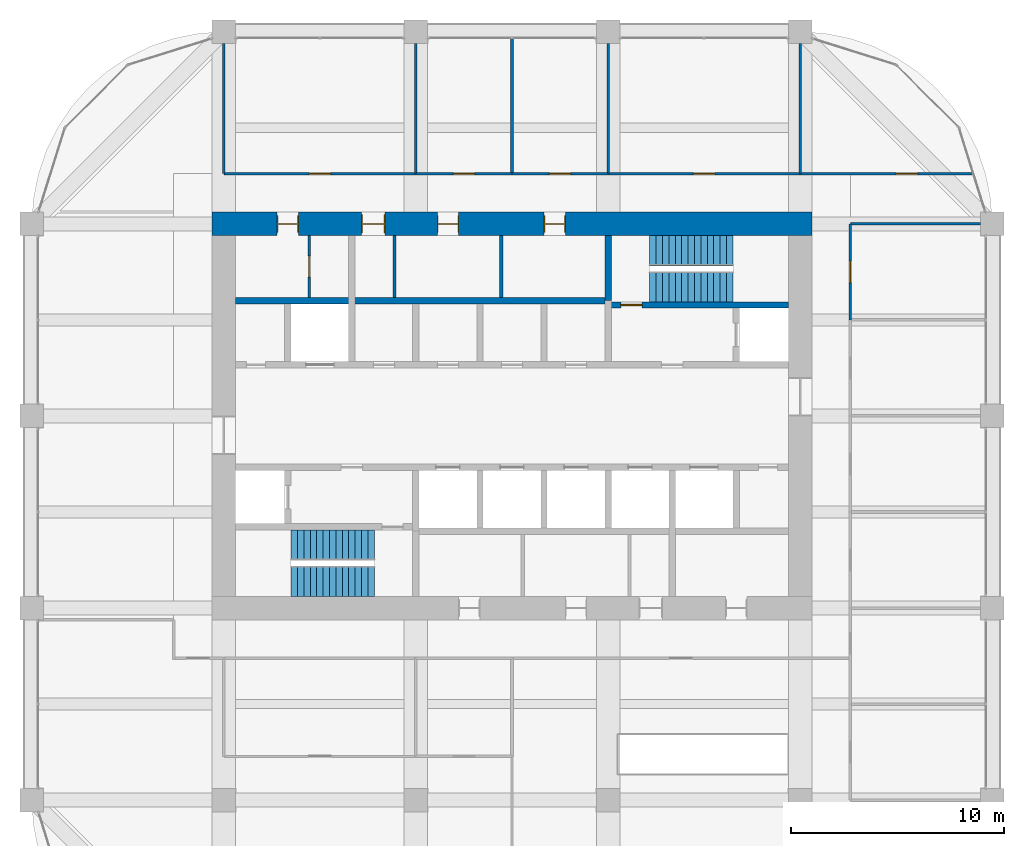
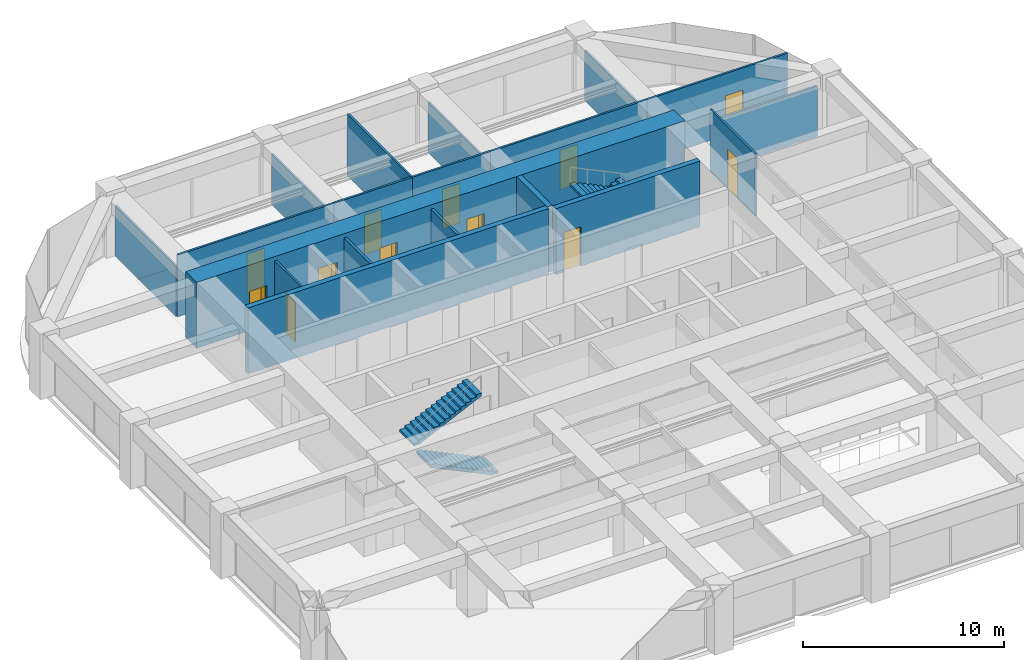
# One storey, part 43 of 44: 19 walls, 12 doors, 4 stair flights, 12 openings, 2 elements without a shape of their own.
"""IFC4 building model written with IfcOpenShell, lengths in metres."""

import ifcopenshell
import ifcopenshell.guid

model = None  # the IFC model being written
_history = None  # IfcOwnerHistory: only IFC2X3 demands one
_inside = {}  # id of a spatial element -> (the spatial element, [elements in it])
_under = {}  # id of a project, library or spatial element -> (it, [spatial elements below it])
_declared = {}  # id of a project -> (the project, [libraries it declares])
_typed = {}  # id of a type object -> (the type object, [elements of that type])
_made_of = {}  # id of a material, layer set ... -> (it, [elements and type objects made of it])


def new_model(schema):
    """Start an empty IFC model of exactly this schema.

    Asked for "IFC4X3", IfcOpenShell would pick the latest addendum, in which some entities
    have other attributes; the version numbers below select the first issue.
    IFC2X3 requires an IfcOwnerHistory on every rooted entity: one is made here for all.
    """
    global model, _history
    if schema == "IFC4X3":
        model = ifcopenshell.file(schema_version=(4, 3, 0, 0))
    else:
        model = ifcopenshell.file(schema=schema)
    _inside.clear()
    _under.clear()
    _declared.clear()
    _typed.clear()
    _made_of.clear()
    _history = None
    if model.schema == "IFC2X3":
        org = make("IfcOrganization", Name="unknown")
        user = make(
            "IfcPersonAndOrganization",
            ThePerson=make("IfcPerson", FamilyName="unknown"),
            TheOrganization=org,
        )
        app = make(
            "IfcApplication",
            ApplicationDeveloper=org,
            Version="unknown",
            ApplicationFullName="unknown",
            ApplicationIdentifier="unknown",
        )
        _history = make(
            "IfcOwnerHistory",
            OwningUser=user,
            OwningApplication=app,
            ChangeAction="ADDED",
            CreationDate=0,
        )
    return model


def make(cls, **values):
    """One entity of the class cls with the attributes given. An attribute that is None is left unset."""
    return model.create_entity(
        cls, **{name: value for name, value in values.items() if value is not None}
    )


def rooted(cls, **values):
    """An entity with a GlobalId (a new one), such as an element, a storey or a relation."""
    return make(cls, GlobalId=ifcopenshell.guid.new(), OwnerHistory=_history, **values)


def si_unit(unit_type, name, prefix=None):
    """IfcSIUnit, for example si_unit("LENGTHUNIT", "METRE", prefix="MILLI")."""
    return make("IfcSIUnit", UnitType=unit_type, Prefix=prefix, Name=name)


def assignment(units):
    """IfcUnitAssignment: the units of a project."""
    return None if units is None else make("IfcUnitAssignment", Units=units)


def point(xyz):
    """IfcCartesianPoint."""
    return None if xyz is None else make("IfcCartesianPoint", Coordinates=xyz)


def direction(xyz):
    """IfcDirection."""
    return None if xyz is None else make("IfcDirection", DirectionRatios=xyz)


def frame(location, z_axis=None, x_axis=None):
    """IfcAxis2Placement3D, a coordinate frame: its origin and axes. An axis left out is left unset."""
    return make(
        "IfcAxis2Placement3D",
        Location=point(location),
        Axis=direction(z_axis),
        RefDirection=direction(x_axis),
    )


def frame_2d(location, x_axis=None):
    """IfcAxis2Placement2D, a coordinate frame in the plane: its origin and x axis."""
    return make(
        "IfcAxis2Placement2D", Location=point(location), RefDirection=direction(x_axis)
    )


def origin():
    """The frame at (0, 0, 0) with its axes left unset."""
    return frame((0.0, 0.0, 0.0))


def place(relative_to, where):
    """IfcLocalPlacement: puts the frame where relative to a parent placement (None: the world)."""
    return make(
        "IfcLocalPlacement", PlacementRelTo=relative_to, RelativePlacement=where
    )


def context(
    kind, dimensions, precision=None, world=None, true_north=None, identifier=None
):
    """IfcGeometricRepresentationContext, for example the 3D "Model" context."""
    return make(
        "IfcGeometricRepresentationContext",
        ContextIdentifier=identifier,
        ContextType=kind,
        CoordinateSpaceDimension=dimensions,
        Precision=precision,
        WorldCoordinateSystem=world,
        TrueNorth=true_north,
    )


def subcontext(parent, identifier, kind, view, scale=None):
    """IfcGeometricRepresentationSubContext, for example "Body" below "Model"."""
    return make(
        "IfcGeometricRepresentationSubContext",
        ContextIdentifier=identifier,
        ContextType=kind,
        ParentContext=parent,
        TargetScale=scale,
        TargetView=view,
    )


def project(units=None, contexts=None):
    """IfcProject with its units and contexts."""
    return rooted(
        "IfcProject",
        Name="project",
        RepresentationContexts=contexts,
        UnitsInContext=assignment(units),
    )


def spatial(cls, under=None, at=None, **own):
    """A site, building, storey or space (cls), placed at a placement, below another one or the project."""
    s = rooted(cls, ObjectPlacement=at, **own)
    if under is not None:
        _under.setdefault(under.id(), (under, []))[1].append(s)
    return s


def polyline(points):
    """IfcPolyline through the points."""
    return make("IfcPolyline", Points=[point(p) for p in points])


def profile(cls, at=None, kind="AREA", **sizes):
    """A parametric profile (cls). Its sizes go by their IFC names, for example OverallWidth=200.0."""
    return make(cls, ProfileType=kind, Position=at, **sizes)


def rectangle(**sizes):
    """IfcRectangleProfileDef."""
    return profile("IfcRectangleProfileDef", **sizes)


def outline(outer, holes=None, kind="AREA"):
    """IfcArbitraryClosedProfileDef: a profile drawn as a closed curve; with holes, ...WithVoids."""
    if holes is None:
        return make("IfcArbitraryClosedProfileDef", ProfileType=kind, OuterCurve=outer)
    return make(
        "IfcArbitraryProfileDefWithVoids",
        ProfileType=kind,
        OuterCurve=outer,
        InnerCurves=holes,
    )


def extrude(swept, where, along, depth):
    """IfcExtrudedAreaSolid: the profile swept, set in the frame where, extruded along a direction by depth."""
    return make(
        "IfcExtrudedAreaSolid",
        SweptArea=swept,
        Position=where,
        ExtrudedDirection=direction(along),
        Depth=depth,
    )


def shape(context_of_items, identifier, shape_type, items):
    """IfcShapeRepresentation: the items that make up one representation, for example the "Body"."""
    return make(
        "IfcShapeRepresentation",
        ContextOfItems=context_of_items,
        RepresentationIdentifier=identifier,
        RepresentationType=shape_type,
        Items=items,
    )


def material(Name=None, Category=None):
    """IfcMaterial."""
    return make("IfcMaterial", Name=Name, Category=Category)


def layer(
    of_material, thickness, ventilated=None, Name=None, Category=None, Priority=None
):
    """IfcMaterialLayer: one layer of a wall or slab, of a material (None: an air gap)."""
    return make(
        "IfcMaterialLayer",
        Material=of_material,
        LayerThickness=thickness,
        IsVentilated=ventilated,
        Name=Name,
        Category=Category,
        Priority=Priority,
    )


def layer_set(layers, Name=None):
    """IfcMaterialLayerSet."""
    return make("IfcMaterialLayerSet", MaterialLayers=layers, LayerSetName=Name)


def made_of(thing, what):
    """Note that an element or type object is made of a material, layer set ...; save() writes the relation."""
    if what is not None:
        _made_of.setdefault(what.id(), (what, []))[1].append(thing)
    return thing


def type_object(cls, material=None, **own):
    """A type object (cls), such as IfcWallType, which elements share."""
    return made_of(rooted(cls, **own), material)


def element(
    cls,
    number,
    at=None,
    inside=None,
    cuts=None,
    type_object=None,
    material=None,
    context=None,
    identifier="Body",
    shape_type=None,
    held_by="IfcProductDefinitionShape",
    body=None,
    shapes=None,
    **own,
):
    """One element of the class cls, such as IfcWall. Its Tag is "e" and its number.

    at: its placement. inside: the storey or other place that contains it. cuts: it is an
    opening in that element (IfcRelVoidsElement). A single representation is given by context,
    identifier, shape_type and body (its items); several are given by shapes. held_by: the class
    of the entity that holds the representations. save() writes the other relations.
    """
    e = rooted(cls, Tag="e%d" % number, ObjectPlacement=at, **own)
    if body is not None:
        shapes = [shape(context, identifier, shape_type, body)]
    if shapes is not None:
        e.Representation = make(held_by, Representations=shapes)
    if inside is not None:
        _inside.setdefault(inside.id(), (inside, []))[1].append(e)
    if cuts is not None:
        rooted(
            "IfcRelVoidsElement", RelatingBuildingElement=cuts, RelatedOpeningElement=e
        )
    if type_object is not None:
        _typed.setdefault(type_object.id(), (type_object, []))[1].append(e)
    return made_of(e, material)


def fill(opening, filler):
    """IfcRelFillsElement: the door or window that sits in an opening."""
    return rooted(
        "IfcRelFillsElement",
        RelatingOpeningElement=opening,
        RelatedBuildingElement=filler,
    )


def aggregate(whole, parts):
    """IfcRelAggregates: a whole, such as a stair, and the parts it consists of."""
    return rooted("IfcRelAggregates", RelatingObject=whole, RelatedObjects=parts)


def save(model, path):
    """Write the relations noted so far, then the file.

    IfcRelAggregates (storeys below a building ...), IfcRelContainedInSpatialStructure (elements
    in a storey), IfcRelDefinesByType, IfcRelAssociatesMaterial and IfcRelDeclares: one each for
    every whole, place, type object, material and project.
    """
    for whole, parts in _under.values():
        aggregate(whole, parts)
    for where, things in _inside.values():
        rooted(
            "IfcRelContainedInSpatialStructure",
            RelatedElements=things,
            RelatingStructure=where,
        )
    for kind, things in _typed.values():
        rooted("IfcRelDefinesByType", RelatedObjects=things, RelatingType=kind)
    for what, things in _made_of.values():
        rooted("IfcRelAssociatesMaterial", RelatedObjects=things, RelatingMaterial=what)
    for by, libraries in _declared.values():
        rooted("IfcRelDeclares", RelatingContext=by, RelatedDefinitions=libraries)
    model.write(path)


model = new_model("IFC4")

# Units and contexts
model_context = context("Model", 3, precision=1e-05, world=origin(), true_north=direction((0.0, 1.0)))
body_context = subcontext(model_context, "Body", "Model", "MODEL_VIEW")
ifc_project = project(units=[si_unit("LENGTHUNIT", "METRE"), si_unit("AREAUNIT", "SQUARE_METRE"), si_unit("VOLUMEUNIT", "CUBIC_METRE"), si_unit("PLANEANGLEUNIT", "RADIAN"), si_unit("MASSUNIT", "GRAM", prefix="KILO")], contexts=[model_context])

# Site, building, storey
site_placement = place(None, origin())
site = spatial("IfcSite", under=ifc_project, at=site_placement, CompositionType="ELEMENT")
building_placement = place(site_placement, origin())
building = spatial("IfcBuilding", under=site, at=building_placement, Name="Zorevar Civic Tower", CompositionType="ELEMENT")
storey_placement = place(building_placement, frame((0.0, 0.0, 255.39990234375)))
storey = spatial("IfcBuildingStorey", under=building, at=storey_placement, Name="L62", CompositionType="ELEMENT", Elevation=255.39990234375)

# Wall, openings, doors
ifc_material_1 = material(Name="Concrete C50/60", Category="concrete")
ifc_layer_1 = layer(ifc_material_1, 1.10009765625)
ifc_layer_set_1 = layer_set([ifc_layer_1], Name="Core wall 1100")
wall_type_1 = type_object("IfcWallType", Name="Core wall 1100", PredefinedType="SHEAR", material=ifc_layer_set_1)
wall_1_placement = place(storey_placement, frame((45.550048828125, 36.0, 0.0), z_axis=(0.0, 0.0, 1.0), x_axis=(-1.0, 0.0, 0.0)))
wall_1 = element("IfcWall", 1, at=wall_1_placement, inside=storey, type_object=wall_type_1, Name="Core wall N L62", PredefinedType="SHEAR", context=body_context, shape_type="SweptSolid", body=[
    extrude(rectangle(XDim=28.10009765625, YDim=1.10009765625, at=frame_2d((14.050048828125, 0.0))), origin(), (0.0, 0.0, 1.0), 4.0),
])
opening_1_placement = place(wall_1_placement, frame((11.550048828125, 0.0, 0.0)))
opening_1 = element("IfcOpeningElement", 2, at=opening_1_placement, cuts=wall_1, Name="Opening L62.07", PredefinedType="OPENING", context=body_context, shape_type="SweptSolid", body=[
    extrude(rectangle(XDim=1.0, YDim=2.39990234375, at=frame_2d((0.5, 1.199951171875))), frame((0.0, 0.56005859375, 0.0), z_axis=(0.0, -1.0, 0.0), x_axis=(1.0, 0.0, 0.0)), (0.0, 0.0, 1.0), 1.1201171875),
])
opening_2_placement = place(wall_1_placement, frame((16.550048828125, 0.0, 0.0)))
opening_2 = element("IfcOpeningElement", 3, at=opening_2_placement, cuts=wall_1, Name="Opening L62.08", PredefinedType="OPENING", context=body_context, shape_type="SweptSolid", body=[
    extrude(rectangle(XDim=1.0, YDim=2.39990234375, at=frame_2d((0.5, 1.199951171875))), frame((0.0, 0.56005859375, 0.0), z_axis=(0.0, -1.0, 0.0), x_axis=(1.0, 0.0, 0.0)), (0.0, 0.0, 1.0), 1.1201171875),
])
opening_3_placement = place(wall_1_placement, frame((20.0, 0.0, 0.0)))
opening_3 = element("IfcOpeningElement", 4, at=opening_3_placement, cuts=wall_1, Name="Opening L62.09", PredefinedType="OPENING", context=body_context, shape_type="SweptSolid", body=[
    extrude(rectangle(XDim=1.10009765625, YDim=2.39990234375, at=frame_2d((0.550048828125, 1.199951171875))), frame((0.0, 0.56005859375, 0.0), z_axis=(0.0, -1.0, 0.0), x_axis=(1.0, 0.0, 0.0)), (0.0, 0.0, 1.0), 1.1201171875),
])
opening_4_placement = place(wall_1_placement, frame((24.050048828125, 0.0, 0.0)))
opening_4 = element("IfcOpeningElement", 5, at=opening_4_placement, cuts=wall_1, Name="Opening L62.10", PredefinedType="OPENING", context=body_context, shape_type="SweptSolid", body=[
    extrude(rectangle(XDim=1.0, YDim=2.39990234375, at=frame_2d((0.5, 1.199951171875))), frame((0.0, 0.56005859375, 0.0), z_axis=(0.0, -1.0, 0.0), x_axis=(1.0, 0.0, 0.0)), (0.0, 0.0, 1.0), 1.1201171875),
])
ifc_material_2 = material(Name="Timber door set", Category="wood")
door_type_1 = type_object("IfcDoorType", Name="Door D1 1000x2400", OperationType="SINGLE_SWING_LEFT", PredefinedType="DOOR", material=ifc_material_2)
door_1_placement = place(opening_1_placement, origin())
door_1 = element("IfcDoor", 6, at=door_1_placement, inside=storey, type_object=door_type_1, Name="Door L62 06", OperationType="SINGLE_SWING_LEFT", OverallHeight=2.39990234375, OverallWidth=1.0, PredefinedType="DOOR", context=body_context, shape_type="SweptSolid", body=[
    extrude(rectangle(XDim=1.0, YDim=2.39990234375, at=frame_2d((0.5, 1.199951171875))), frame((0.0, 0.02490234375, 0.0), z_axis=(0.0, -1.0, 0.0), x_axis=(1.0, 0.0, 0.0)), (0.0, 0.0, 1.0), 0.050048828125),
    extrude(rectangle(XDim=0.04, YDim=2.39990234375, at=frame_2d((0.02001953125, 1.199951171875))), frame((0.0, 0.39990234375, 0.0), z_axis=(0.0, -1.0, 0.0), x_axis=(1.0, 0.0, 0.0)), (0.0, 0.0, 1.0), 0.800048828125),
    extrude(rectangle(XDim=0.04, YDim=2.39990234375, at=frame_2d((0.97998046875, 1.199951171875))), frame((0.0, 0.39990234375, 0.0), z_axis=(0.0, -1.0, 0.0), x_axis=(1.0, 0.0, 0.0)), (0.0, 0.0, 1.0), 0.800048828125),
    extrude(rectangle(XDim=1.0, YDim=0.04, at=frame_2d((0.5, 2.3798828125))), frame((0.0, 0.39990234375, 0.0), z_axis=(0.0, -1.0, 0.0), x_axis=(1.0, 0.0, 0.0)), (0.0, 0.0, 1.0), 0.800048828125),
])
fill(opening_1, door_1)
door_2_placement = place(opening_2_placement, origin())
door_2 = element("IfcDoor", 7, at=door_2_placement, inside=storey, type_object=door_type_1, Name="Door L62 07", OperationType="SINGLE_SWING_RIGHT", OverallHeight=2.39990234375, OverallWidth=1.0, PredefinedType="DOOR", context=body_context, shape_type="SweptSolid", body=[
    extrude(rectangle(XDim=1.0, YDim=2.39990234375, at=frame_2d((0.5, 1.199951171875))), frame((0.0, 0.02490234375, 0.0), z_axis=(0.0, -1.0, 0.0), x_axis=(1.0, 0.0, 0.0)), (0.0, 0.0, 1.0), 0.050048828125),
    extrude(rectangle(XDim=0.04, YDim=2.39990234375, at=frame_2d((0.02001953125, 1.199951171875))), frame((0.0, 0.39990234375, 0.0), z_axis=(0.0, -1.0, 0.0), x_axis=(1.0, 0.0, 0.0)), (0.0, 0.0, 1.0), 0.800048828125),
    extrude(rectangle(XDim=0.04, YDim=2.39990234375, at=frame_2d((0.97998046875, 1.199951171875))), frame((0.0, 0.39990234375, 0.0), z_axis=(0.0, -1.0, 0.0), x_axis=(1.0, 0.0, 0.0)), (0.0, 0.0, 1.0), 0.800048828125),
    extrude(rectangle(XDim=1.0, YDim=0.04, at=frame_2d((0.5, 2.3798828125))), frame((0.0, 0.39990234375, 0.0), z_axis=(0.0, -1.0, 0.0), x_axis=(1.0, 0.0, 0.0)), (0.0, 0.0, 1.0), 0.800048828125),
])
fill(opening_2, door_2)
door_3_placement = place(opening_4_placement, origin())
door_3 = element("IfcDoor", 8, at=door_3_placement, inside=storey, type_object=door_type_1, Name="Door L62 09", OperationType="SINGLE_SWING_RIGHT", OverallHeight=2.39990234375, OverallWidth=1.0, PredefinedType="DOOR", context=body_context, shape_type="SweptSolid", body=[
    extrude(rectangle(XDim=1.0, YDim=2.39990234375, at=frame_2d((0.5, 1.199951171875))), frame((0.0, 0.02490234375, 0.0), z_axis=(0.0, -1.0, 0.0), x_axis=(1.0, 0.0, 0.0)), (0.0, 0.0, 1.0), 0.050048828125),
    extrude(rectangle(XDim=0.04, YDim=2.39990234375, at=frame_2d((0.02001953125, 1.199951171875))), frame((0.0, 0.39990234375, 0.0), z_axis=(0.0, -1.0, 0.0), x_axis=(1.0, 0.0, 0.0)), (0.0, 0.0, 1.0), 0.800048828125),
    extrude(rectangle(XDim=0.04, YDim=2.39990234375, at=frame_2d((0.97998046875, 1.199951171875))), frame((0.0, 0.39990234375, 0.0), z_axis=(0.0, -1.0, 0.0), x_axis=(1.0, 0.0, 0.0)), (0.0, 0.0, 1.0), 0.800048828125),
    extrude(rectangle(XDim=1.0, YDim=0.04, at=frame_2d((0.5, 2.3798828125))), frame((0.0, 0.39990234375, 0.0), z_axis=(0.0, -1.0, 0.0), x_axis=(1.0, 0.0, 0.0)), (0.0, 0.0, 1.0), 0.800048828125),
])
fill(opening_4, door_3)
ifc_material_3 = material(Name="Timber door set", Category="wood")
door_type_2 = type_object("IfcDoorType", Name="Door D5 1100x2400", OperationType="SINGLE_SWING_LEFT", PredefinedType="DOOR", material=ifc_material_3)
door_4_placement = place(opening_3_placement, origin())
door_4 = element("IfcDoor", 9, at=door_4_placement, inside=storey, type_object=door_type_2, Name="Door L62 08", OperationType="SINGLE_SWING_RIGHT", OverallHeight=2.39990234375, OverallWidth=1.10009765625, PredefinedType="DOOR", context=body_context, shape_type="SweptSolid", body=[
    extrude(rectangle(XDim=1.10009765625, YDim=2.39990234375, at=frame_2d((0.550048828125, 1.199951171875))), frame((0.0, 0.02490234375, 0.0), z_axis=(0.0, -1.0, 0.0), x_axis=(1.0, 0.0, 0.0)), (0.0, 0.0, 1.0), 0.050048828125),
    extrude(rectangle(XDim=0.04, YDim=2.39990234375, at=frame_2d((0.02001953125, 1.199951171875))), frame((0.0, 0.43994140625, 0.0), z_axis=(0.0, -1.0, 0.0), x_axis=(1.0, 0.0, 0.0)), (0.0, 0.0, 1.0), 0.880126953125),
    extrude(rectangle(XDim=0.04, YDim=2.39990234375, at=frame_2d((1.080078125, 1.199951171875))), frame((0.0, 0.43994140625, 0.0), z_axis=(0.0, -1.0, 0.0), x_axis=(1.0, 0.0, 0.0)), (0.0, 0.0, 1.0), 0.880126953125),
    extrude(rectangle(XDim=1.10009765625, YDim=0.04, at=frame_2d((0.550048828125, 2.3798828125))), frame((0.0, 0.43994140625, 0.0), z_axis=(0.0, -1.0, 0.0), x_axis=(1.0, 0.0, 0.0)), (0.0, 0.0, 1.0), 0.880126953125),
])
fill(opening_3, door_4)

# Wall, opening, door
ifc_material_4 = material(Name="Concrete C40/50", Category="concrete")
ifc_layer_2 = layer(ifc_material_4, 0.300048828125)
ifc_layer_set_2 = layer_set([ifc_layer_2], Name="Inner core wall 300")
wall_type_2 = type_object("IfcWallType", Name="Inner core wall 300", PredefinedType="SHEAR", material=ifc_layer_set_2)
wall_2_placement = place(storey_placement, frame((36.14990234375, 32.199951171875, 0.0), z_axis=(0.0, 0.0, 1.0), x_axis=(1.0, 0.0, 0.0)))
wall_2 = element("IfcWall", 10, at=wall_2_placement, inside=storey, type_object=wall_type_2, Name="Inner core wall N00 L62", PredefinedType="SHEAR", context=body_context, shape_type="SweptSolid", body=[
    extrude(rectangle(XDim=8.300048828125, YDim=0.300048828125, at=frame_2d((4.14990234375, 0.0))), origin(), (0.0, 0.0, 1.0), 4.0),
])
opening_5_placement = place(wall_2_placement, frame((0.449951171875, 0.0, 0.0)))
opening_5 = element("IfcOpeningElement", 11, at=opening_5_placement, cuts=wall_2, Name="Opening L62.12", PredefinedType="OPENING", context=body_context, shape_type="SweptSolid", body=[
    extrude(rectangle(XDim=1.0, YDim=2.39990234375, at=frame_2d((0.5, 1.199951171875))), frame((0.0, 0.159912109375, 0.0), z_axis=(0.0, -1.0, 0.0), x_axis=(1.0, 0.0, 0.0)), (0.0, 0.0, 1.0), 0.320068359375),
])
ifc_material_5 = material(Name="Steel door set", Category="steel")
door_type_3 = type_object("IfcDoorType", Name="Fire door FD1 1000x2400", OperationType="SINGLE_SWING_LEFT", PredefinedType="DOOR", material=ifc_material_5)
door_5_placement = place(opening_5_placement, origin())
door_5 = element("IfcDoor", 12, at=door_5_placement, inside=storey, type_object=door_type_3, Name="Door L62 11", OperationType="SINGLE_SWING_RIGHT", OverallHeight=2.39990234375, OverallWidth=1.0, PredefinedType="DOOR", context=body_context, shape_type="SweptSolid", body=[
    extrude(rectangle(XDim=1.0, YDim=2.39990234375, at=frame_2d((0.5, 1.199951171875))), frame((0.0, 0.030029296875, 0.0), z_axis=(0.0, -1.0, 0.0), x_axis=(1.0, 0.0, 0.0)), (0.0, 0.0, 1.0), 0.06005859375),
])
fill(opening_5, door_5)

# Walls
wall_3_placement = place(storey_placement, frame((36.0, 32.39990234375, 0.0), z_axis=(0.0, 0.0, 1.0), x_axis=(0.0, 1.0, 0.0)))
element("IfcWall", 13, at=wall_3_placement, inside=storey, type_object=wall_type_2, Name="Inner core wall N01 L62", PredefinedType="SHEAR", context=body_context, shape_type="SweptSolid", body=[
    extrude(rectangle(XDim=3.050048828125, YDim=0.300048828125, at=frame_2d((1.52490234375, 0.0))), origin(), (0.0, 0.0, 1.0), 4.0),
])
wall_4_placement = place(storey_placement, frame((18.550048828125, 32.39990234375, 0.0), z_axis=(0.0, 0.0, 1.0), x_axis=(1.0, 0.0, 0.0)))
element("IfcWall", 14, at=wall_4_placement, inside=storey, type_object=wall_type_2, Name="Inner core wall N04 L62", PredefinedType="SHEAR", context=body_context, shape_type="SweptSolid", body=[
    extrude(rectangle(XDim=17.300048828125, YDim=0.300048828125, at=frame_2d((8.64990234375, 0.0))), origin(), (0.0, 0.0, 1.0), 4.0),
])
ifc_material_6 = material(Name="Gypsum board on steel studs", Category="steel")
ifc_layer_3 = layer(ifc_material_6, 0.1201171875)
ifc_layer_set_3 = layer_set([ifc_layer_3], Name="Partition 120")
wall_type_3 = type_object("IfcWallType", Name="Partition 120", PredefinedType="PARTITIONING", material=ifc_layer_set_3)
wall_5_placement = place(storey_placement, frame((47.35009765625, 36.0, 0.0), z_axis=(0.0, 0.0, 1.0), x_axis=(1.0, 0.0, 0.0)))
element("IfcWall", 15, at=wall_5_placement, inside=storey, type_object=wall_type_3, Name="Partition 120 L62", PredefinedType="PARTITIONING", context=body_context, shape_type="SweptSolid", body=[
    extrude(rectangle(XDim=6.099853515625, YDim=0.1201171875, at=frame_2d((3.0498046875, 0.0))), origin(), (0.0, 0.0, 1.0), 3.050048828125),
])

# Wall, opening, door
wall_6_placement = place(storey_placement, frame((18.0, 38.35009765625, 0.0), z_axis=(0.0, 0.0, 1.0), x_axis=(1.0, 0.0, 0.0)))
wall_6 = element("IfcWall", 16, at=wall_6_placement, inside=storey, type_object=wall_type_3, Name="Partition 120 L62", PredefinedType="PARTITIONING", context=body_context, shape_type="SweptSolid", body=[
    extrude(rectangle(XDim=9.0, YDim=0.1201171875, at=frame_2d((4.5, 0.0))), origin(), (0.0, 0.0, 1.0), 3.75),
])
opening_6_placement = place(wall_6_placement, frame((4.0, 0.0, 0.0)))
opening_6 = element("IfcOpeningElement", 17, at=opening_6_placement, cuts=wall_6, Name="Opening L62.21", PredefinedType="OPENING", context=body_context, shape_type="SweptSolid", body=[
    extrude(rectangle(XDim=1.0, YDim=2.39990234375, at=frame_2d((0.5, 1.199951171875))), frame((0.0, 0.070068359375, 0.0), z_axis=(0.0, -1.0, 0.0), x_axis=(1.0, 0.0, 0.0)), (0.0, 0.0, 1.0), 0.14013671875),
])
door_6_placement = place(opening_6_placement, origin())
door_6 = element("IfcDoor", 18, at=door_6_placement, inside=storey, type_object=door_type_1, Name="Door L62 D1", OperationType="SINGLE_SWING_LEFT", OverallHeight=2.39990234375, OverallWidth=1.0, PredefinedType="DOOR", context=body_context, shape_type="SweptSolid", body=[
    extrude(rectangle(XDim=1.0, YDim=2.39990234375, at=frame_2d((0.5, 1.199951171875))), frame((0.0, 0.02490234375, 0.0), z_axis=(0.0, -1.0, 0.0), x_axis=(1.0, 0.0, 0.0)), (0.0, 0.0, 1.0), 0.050048828125),
])
fill(opening_6, door_6)

wall_7_placement = place(storey_placement, frame((27.0, 38.35009765625, 0.0), z_axis=(0.0, 0.0, 1.0), x_axis=(1.0, 0.0, 0.0)))
wall_7 = element("IfcWall", 19, at=wall_7_placement, inside=storey, type_object=wall_type_3, Name="Partition 120 L62", PredefinedType="PARTITIONING", context=body_context, shape_type="SweptSolid", body=[
    extrude(rectangle(XDim=4.5, YDim=0.1201171875, at=frame_2d((2.25, 0.0))), origin(), (0.0, 0.0, 1.0), 3.75),
])
opening_7_placement = place(wall_7_placement, frame((1.75, 0.0, 0.0)))
opening_7 = element("IfcOpeningElement", 20, at=opening_7_placement, cuts=wall_7, Name="Opening L62.22", PredefinedType="OPENING", context=body_context, shape_type="SweptSolid", body=[
    extrude(rectangle(XDim=1.0, YDim=2.39990234375, at=frame_2d((0.5, 1.199951171875))), frame((0.0, 0.070068359375, 0.0), z_axis=(0.0, -1.0, 0.0), x_axis=(1.0, 0.0, 0.0)), (0.0, 0.0, 1.0), 0.14013671875),
])
door_7_placement = place(opening_7_placement, origin())
door_7 = element("IfcDoor", 21, at=door_7_placement, inside=storey, type_object=door_type_1, Name="Door L62 D1", OperationType="SINGLE_SWING_LEFT", OverallHeight=2.39990234375, OverallWidth=1.0, PredefinedType="DOOR", context=body_context, shape_type="SweptSolid", body=[
    extrude(rectangle(XDim=1.0, YDim=2.39990234375, at=frame_2d((0.5, 1.199951171875))), frame((0.0, 0.02490234375, 0.0), z_axis=(0.0, -1.0, 0.0), x_axis=(1.0, 0.0, 0.0)), (0.0, 0.0, 1.0), 0.050048828125),
])
fill(opening_7, door_7)

wall_8_placement = place(storey_placement, frame((31.5, 38.35009765625, 0.0), z_axis=(0.0, 0.0, 1.0), x_axis=(1.0, 0.0, 0.0)))
wall_8 = element("IfcWall", 22, at=wall_8_placement, inside=storey, type_object=wall_type_3, Name="Partition 120 L62", PredefinedType="PARTITIONING", context=body_context, shape_type="SweptSolid", body=[
    extrude(rectangle(XDim=4.5, YDim=0.1201171875, at=frame_2d((2.25, 0.0))), origin(), (0.0, 0.0, 1.0), 3.75),
])
opening_8_placement = place(wall_8_placement, frame((1.75, 0.0, 0.0)))
opening_8 = element("IfcOpeningElement", 23, at=opening_8_placement, cuts=wall_8, Name="Opening L62.23", PredefinedType="OPENING", context=body_context, shape_type="SweptSolid", body=[
    extrude(rectangle(XDim=1.0, YDim=2.39990234375, at=frame_2d((0.5, 1.199951171875))), frame((0.0, 0.070068359375, 0.0), z_axis=(0.0, -1.0, 0.0), x_axis=(1.0, 0.0, 0.0)), (0.0, 0.0, 1.0), 0.14013671875),
])
door_8_placement = place(opening_8_placement, origin())
door_8 = element("IfcDoor", 24, at=door_8_placement, inside=storey, type_object=door_type_1, Name="Door L62 D1", OperationType="SINGLE_SWING_RIGHT", OverallHeight=2.39990234375, OverallWidth=1.0, PredefinedType="DOOR", context=body_context, shape_type="SweptSolid", body=[
    extrude(rectangle(XDim=1.0, YDim=2.39990234375, at=frame_2d((0.5, 1.199951171875))), frame((0.0, 0.02490234375, 0.0), z_axis=(0.0, -1.0, 0.0), x_axis=(1.0, 0.0, 0.0)), (0.0, 0.0, 1.0), 0.050048828125),
])
fill(opening_8, door_8)

wall_9_placement = place(storey_placement, frame((36.0, 38.35009765625, 0.0), z_axis=(0.0, 0.0, 1.0), x_axis=(1.0, 0.0, 0.0)))
wall_9 = element("IfcWall", 25, at=wall_9_placement, inside=storey, type_object=wall_type_3, Name="Partition 120 L62", PredefinedType="PARTITIONING", context=body_context, shape_type="SweptSolid", body=[
    extrude(rectangle(XDim=9.0, YDim=0.1201171875, at=frame_2d((4.5, 0.0))), origin(), (0.0, 0.0, 1.0), 3.75),
])
opening_9_placement = place(wall_9_placement, frame((4.0, 0.0, 0.0)))
opening_9 = element("IfcOpeningElement", 26, at=opening_9_placement, cuts=wall_9, Name="Opening L62.24", PredefinedType="OPENING", context=body_context, shape_type="SweptSolid", body=[
    extrude(rectangle(XDim=1.0, YDim=2.39990234375, at=frame_2d((0.5, 1.199951171875))), frame((0.0, 0.070068359375, 0.0), z_axis=(0.0, -1.0, 0.0), x_axis=(1.0, 0.0, 0.0)), (0.0, 0.0, 1.0), 0.14013671875),
])
door_9_placement = place(opening_9_placement, origin())
door_9 = element("IfcDoor", 27, at=door_9_placement, inside=storey, type_object=door_type_1, Name="Door L62 D1", OperationType="SINGLE_SWING_RIGHT", OverallHeight=2.39990234375, OverallWidth=1.0, PredefinedType="DOOR", context=body_context, shape_type="SweptSolid", body=[
    extrude(rectangle(XDim=1.0, YDim=2.39990234375, at=frame_2d((0.5, 1.199951171875))), frame((0.0, 0.02490234375, 0.0), z_axis=(0.0, -1.0, 0.0), x_axis=(1.0, 0.0, 0.0)), (0.0, 0.0, 1.0), 0.050048828125),
])
fill(opening_9, door_9)

wall_10_placement = place(storey_placement, frame((45.0, 38.35009765625, 0.0), z_axis=(0.0, 0.0, 1.0), x_axis=(1.0, 0.0, 0.0)))
wall_10 = element("IfcWall", 28, at=wall_10_placement, inside=storey, type_object=wall_type_3, Name="Partition 120 L62", PredefinedType="PARTITIONING", context=body_context, shape_type="SweptSolid", body=[
    extrude(rectangle(XDim=8.082275390625, YDim=0.1201171875, at=frame_2d((4.041015625, 0.0))), origin(), (0.0, 0.0, 1.0), 3.75),
])
opening_10_placement = place(wall_10_placement, frame((4.5, 0.0, 0.0)))
opening_10 = element("IfcOpeningElement", 29, at=opening_10_placement, cuts=wall_10, Name="Opening L62.25", PredefinedType="OPENING", context=body_context, shape_type="SweptSolid", body=[
    extrude(rectangle(XDim=1.0, YDim=2.39990234375, at=frame_2d((0.5, 1.199951171875))), frame((0.0, 0.070068359375, 0.0), z_axis=(0.0, -1.0, 0.0), x_axis=(1.0, 0.0, 0.0)), (0.0, 0.0, 1.0), 0.14013671875),
])
door_10_placement = place(opening_10_placement, origin())
door_10 = element("IfcDoor", 30, at=door_10_placement, inside=storey, type_object=door_type_1, Name="Door L62 D1", OperationType="SINGLE_SWING_LEFT", OverallHeight=2.39990234375, OverallWidth=1.0, PredefinedType="DOOR", context=body_context, shape_type="SweptSolid", body=[
    extrude(rectangle(XDim=1.0, YDim=2.39990234375, at=frame_2d((0.5, 1.199951171875))), frame((0.0, 0.02490234375, 0.0), z_axis=(0.0, -1.0, 0.0), x_axis=(1.0, 0.0, 0.0)), (0.0, 0.0, 1.0), 0.050048828125),
])
fill(opening_10, door_10)

# Walls
for number, where, z_axis, x_axis, name in (
    (31, (18.0, 38.35009765625, 0.0), (0.0, 0.0, 1.0), (0.0, 1.0, 0.0), "Partition 120 L62"),
    (32, (27.0, 38.35009765625, 0.0), (0.0, 0.0, 1.0), (0.0, 1.0, 0.0), "Partition 120 L62"),
):
    element("IfcWall", number, at=place(storey_placement, frame(where, z_axis=z_axis, x_axis=x_axis)), inside=storey, type_object=wall_type_3, Name=name, PredefinedType="PARTITIONING", context=body_context, shape_type="SweptSolid", body=[
        extrude(rectangle(XDim=6.099853515625, YDim=0.1201171875, at=frame_2d((3.0498046875, 0.0))), origin(), (0.0, 0.0, 1.0), 3.050048828125),
    ])
wall_11_placement = place(storey_placement, frame((31.5, 38.35009765625, 0.0), z_axis=(0.0, 0.0, 1.0), x_axis=(0.0, 1.0, 0.0)))
element("IfcWall", 33, at=wall_11_placement, inside=storey, type_object=wall_type_3, Name="Partition 120 L62", PredefinedType="PARTITIONING", context=body_context, shape_type="SweptSolid", body=[
    extrude(rectangle(XDim=6.33984375, YDim=0.1201171875, at=frame_2d((3.169921875, 0.0))), origin(), (0.0, 0.0, 1.0), 3.75),
])
for number, where, z_axis, x_axis, name in (
    (34, (36.0, 38.35009765625, 0.0), (0.0, 0.0, 1.0), (0.0, 1.0, 0.0), "Partition 120 L62"),
    (35, (45.0, 38.35009765625, 0.0), (0.0, 0.0, 1.0), (0.0, 1.0, 0.0), "Partition 120 L62"),
):
    element("IfcWall", number, at=place(storey_placement, frame(where, z_axis=z_axis, x_axis=x_axis)), inside=storey, type_object=wall_type_3, Name=name, PredefinedType="PARTITIONING", context=body_context, shape_type="SweptSolid", body=[
        extrude(rectangle(XDim=6.099853515625, YDim=0.1201171875, at=frame_2d((3.0498046875, 0.0))), origin(), (0.0, 0.0, 1.0), 3.050048828125),
    ])

# Wall, opening, door
wall_12_placement = place(storey_placement, frame((47.35009765625, 31.5, 0.0), z_axis=(0.0, 0.0, 1.0), x_axis=(0.0, 1.0, 0.0)))
wall_12 = element("IfcWall", 36, at=wall_12_placement, inside=storey, type_object=wall_type_3, Name="Partition 120 L62", PredefinedType="PARTITIONING", context=body_context, shape_type="SweptSolid", body=[
    extrude(rectangle(XDim=4.5, YDim=0.1201171875, at=frame_2d((2.25, 0.0))), origin(), (0.0, 0.0, 1.0), 3.75),
])
opening_11_placement = place(wall_12_placement, frame((1.75, 0.0, 0.0)))
opening_11 = element("IfcOpeningElement", 37, at=opening_11_placement, cuts=wall_12, Name="Opening L62.31", PredefinedType="OPENING", context=body_context, shape_type="SweptSolid", body=[
    extrude(rectangle(XDim=1.0, YDim=2.39990234375, at=frame_2d((0.5, 1.199951171875))), frame((0.0, 0.070068359375, 0.0), z_axis=(0.0, -1.0, 0.0), x_axis=(1.0, 0.0, 0.0)), (0.0, 0.0, 1.0), 0.14013671875),
])
door_11_placement = place(opening_11_placement, origin())
door_11 = element("IfcDoor", 38, at=door_11_placement, inside=storey, type_object=door_type_1, Name="Door L62 D1", OperationType="SINGLE_SWING_LEFT", OverallHeight=2.39990234375, OverallWidth=1.0, PredefinedType="DOOR", context=body_context, shape_type="SweptSolid", body=[
    extrude(rectangle(XDim=1.0, YDim=2.39990234375, at=frame_2d((0.5, 1.199951171875))), frame((0.0, 0.02490234375, 0.0), z_axis=(0.0, -1.0, 0.0), x_axis=(1.0, 0.0, 0.0)), (0.0, 0.0, 1.0), 0.050048828125),
])
fill(opening_11, door_11)

wall_13_placement = place(storey_placement, frame((22.0, 32.550048828125, 0.0), z_axis=(0.0, 0.0, 1.0), x_axis=(0.0, 1.0, 0.0)))
wall_13 = element("IfcWall", 39, at=wall_13_placement, inside=storey, type_object=wall_type_3, Name="Partition L62", PredefinedType="PARTITIONING", context=body_context, shape_type="SweptSolid", body=[
    extrude(rectangle(XDim=2.89990234375, YDim=0.1201171875, at=frame_2d((1.449951171875, 0.0))), origin(), (0.0, 0.0, 1.0), 3.75),
])
opening_12_placement = place(wall_13_placement, frame((0.949951171875, 0.0, 0.0)))
opening_12 = element("IfcOpeningElement", 40, at=opening_12_placement, cuts=wall_13, Name="Opening L62.32", PredefinedType="OPENING", context=body_context, shape_type="SweptSolid", body=[
    extrude(rectangle(XDim=1.0, YDim=2.39990234375, at=frame_2d((0.5, 1.199951171875))), frame((0.0, 0.070068359375, 0.0), z_axis=(0.0, -1.0, 0.0), x_axis=(1.0, 0.0, 0.0)), (0.0, 0.0, 1.0), 0.14013671875),
])
door_12_placement = place(opening_12_placement, origin())
door_12 = element("IfcDoor", 41, at=door_12_placement, inside=storey, type_object=door_type_3, Name="Door L62 EN", OperationType="SINGLE_SWING_LEFT", OverallHeight=2.39990234375, OverallWidth=1.0, PredefinedType="DOOR", context=body_context, shape_type="SweptSolid", body=[
    extrude(rectangle(XDim=1.0, YDim=2.39990234375, at=frame_2d((0.5, 1.199951171875))), frame((0.0, 0.030029296875, 0.0), z_axis=(0.0, -1.0, 0.0), x_axis=(1.0, 0.0, 0.0)), (0.0, 0.0, 1.0), 0.06005859375),
])
fill(opening_12, door_12)

# Walls
ifc_material_7 = material(Name="Gypsum board on steel studs, moisture resistant", Category="steel")
ifc_layer_4 = layer(ifc_material_7, 0.14990234375)
ifc_layer_set_4 = layer_set([ifc_layer_4], Name="WC partition 150")
wall_type_4 = type_object("IfcWallType", Name="WC partition 150", PredefinedType="PARTITIONING", material=ifc_layer_set_4)
for number, where, z_axis, x_axis, name in (
    (42, (31.0, 32.550048828125, 0.0), (0.0, 0.0, 1.0), (0.0, 1.0, 0.0), "WC partition L62"),
    (43, (26.0, 32.550048828125, 0.0), (0.0, 0.0, 1.0), (0.0, 1.0, 0.0), "WC partition L62"),
):
    element("IfcWall", number, at=place(storey_placement, frame(where, z_axis=z_axis, x_axis=x_axis)), inside=storey, type_object=wall_type_4, Name=name, PredefinedType="PARTITIONING", context=body_context, shape_type="SweptSolid", body=[
        extrude(rectangle(XDim=2.89990234375, YDim=0.14990234375, at=frame_2d((1.449951171875, 0.0))), origin(), (0.0, 0.0, 1.0), 3.75),
    ])

# Stair, stair flights
ifc_material_8 = material(Name="Precast concrete C40/50", Category="concrete")
stair_type = type_object("IfcStairType", Name="Stair ST 28R", PredefinedType="HALF_TURN_STAIR", material=ifc_material_8)
stair_1_placement = place(storey_placement, origin())
stair_1 = element("IfcStair", 44, at=stair_1_placement, inside=storey, type_object=stair_type, Name="Stair ST1 L62", PredefinedType="HALF_TURN_STAIR")
ifc_material_9 = material(Name="Precast concrete C40/50", Category="concrete")
stair_flight_type = type_object("IfcStairFlightType", Name="Stair flight", PredefinedType="STRAIGHT", material=ifc_material_9)
stair_flight_1_placement = place(storey_placement, frame((25.050048828125, 19.262451171875, 0.0), z_axis=(0.0, 0.0, 1.0), x_axis=(-1.0, 0.0, 0.0)))
stair_flight_1 = element("IfcStairFlight", 45, at=stair_flight_1_placement, type_object=stair_flight_type, Name="ST1 flight 1", NumberOfRisers=14, NumberOfTreads=13, PredefinedType="STRAIGHT", RiserHeight=0.142857143, TreadLength=0.3, context=body_context, shape_type="SweptSolid", body=[
    extrude(outline(polyline([(0.0, 0.0), (0.0, 0.142822265625), (0.300048828125, 0.142822265625), (0.300048828125, 0.28564453125), (0.60009765625, 0.28564453125), (0.60009765625, 0.428466796875), (0.89990234375, 0.428466796875), (0.89990234375, 0.571533203125), (1.199951171875, 0.571533203125), (1.199951171875, 0.71435546875), (1.5, 0.71435546875), (1.5, 0.857177734375), (1.800048828125, 0.857177734375), (1.800048828125, 1.0), (2.10009765625, 1.0), (2.10009765625, 1.142822265625), (2.39990234375, 1.142822265625), (2.39990234375, 1.28564453125), (2.699951171875, 1.28564453125), (2.699951171875, 1.428466796875), (3.0, 1.428466796875), (3.0, 1.571533203125), (3.300048828125, 1.571533203125), (3.300048828125, 1.71435546875), (3.60009765625, 1.71435546875), (3.60009765625, 1.857177734375), (3.89990234375, 1.857177734375), (3.89990234375, 2.0), (3.89990234375, 1.691162109375), (0.3486328125, 0.0), (0.0, 0.0)])), frame((0.0, 0.71240234375, 0.0), z_axis=(0.0, -1.0, 0.0), x_axis=(1.0, 0.0, 0.0)), (0.0, 0.0, 1.0), 1.425048828125),
])
stair_flight_2_placement = place(storey_placement, frame((21.14990234375, 20.9375, 2.0), z_axis=(0.0, 0.0, 1.0), x_axis=(1.0, 0.0, 0.0)))
stair_flight_2 = element("IfcStairFlight", 46, at=stair_flight_2_placement, type_object=stair_flight_type, Name="ST1 flight 2", NumberOfRisers=14, NumberOfTreads=13, PredefinedType="STRAIGHT", RiserHeight=0.142857143, TreadLength=0.3, context=body_context, shape_type="SweptSolid", body=[
    extrude(outline(polyline([(0.0, 0.0), (0.0, 0.142822265625), (0.300048828125, 0.142822265625), (0.300048828125, 0.28564453125), (0.60009765625, 0.28564453125), (0.60009765625, 0.428466796875), (0.89990234375, 0.428466796875), (0.89990234375, 0.571533203125), (1.199951171875, 0.571533203125), (1.199951171875, 0.71435546875), (1.5, 0.71435546875), (1.5, 0.857177734375), (1.800048828125, 0.857177734375), (1.800048828125, 1.0), (2.10009765625, 1.0), (2.10009765625, 1.142822265625), (2.39990234375, 1.142822265625), (2.39990234375, 1.28564453125), (2.699951171875, 1.28564453125), (2.699951171875, 1.428466796875), (3.0, 1.428466796875), (3.0, 1.571533203125), (3.300048828125, 1.571533203125), (3.300048828125, 1.71435546875), (3.60009765625, 1.71435546875), (3.60009765625, 1.857177734375), (3.89990234375, 1.857177734375), (3.89990234375, 2.0), (3.89990234375, 1.691162109375), (0.3486328125, 0.0), (0.0, 0.0)])), frame((0.0, 0.71240234375, 0.0), z_axis=(0.0, -1.0, 0.0), x_axis=(1.0, 0.0, 0.0)), (0.0, 0.0, 1.0), 1.425048828125),
])
aggregate(stair_1, [stair_flight_1, stair_flight_2])

stair_2_placement = place(storey_placement, origin())
stair_2 = element("IfcStair", 47, at=stair_2_placement, inside=storey, type_object=stair_type, Name="Stair ST2 L62", PredefinedType="HALF_TURN_STAIR")
stair_flight_3_placement = place(storey_placement, frame((37.949951171875, 34.737548828125, 0.0), z_axis=(0.0, 0.0, 1.0), x_axis=(1.0, 0.0, 0.0)))
stair_flight_3 = element("IfcStairFlight", 48, at=stair_flight_3_placement, type_object=stair_flight_type, Name="ST2 flight 1", NumberOfRisers=14, NumberOfTreads=13, PredefinedType="STRAIGHT", RiserHeight=0.142857143, TreadLength=0.3, context=body_context, shape_type="SweptSolid", body=[
    extrude(outline(polyline([(0.0, 0.0), (0.0, 0.142822265625), (0.300048828125, 0.142822265625), (0.300048828125, 0.28564453125), (0.60009765625, 0.28564453125), (0.60009765625, 0.428466796875), (0.89990234375, 0.428466796875), (0.89990234375, 0.571533203125), (1.199951171875, 0.571533203125), (1.199951171875, 0.71435546875), (1.5, 0.71435546875), (1.5, 0.857177734375), (1.800048828125, 0.857177734375), (1.800048828125, 1.0), (2.10009765625, 1.0), (2.10009765625, 1.142822265625), (2.39990234375, 1.142822265625), (2.39990234375, 1.28564453125), (2.699951171875, 1.28564453125), (2.699951171875, 1.428466796875), (3.0, 1.428466796875), (3.0, 1.571533203125), (3.300048828125, 1.571533203125), (3.300048828125, 1.71435546875), (3.60009765625, 1.71435546875), (3.60009765625, 1.857177734375), (3.89990234375, 1.857177734375), (3.89990234375, 2.0), (3.89990234375, 1.691162109375), (0.3486328125, 0.0), (0.0, 0.0)])), frame((0.0, 0.71240234375, 0.0), z_axis=(0.0, -1.0, 0.0), x_axis=(1.0, 0.0, 0.0)), (0.0, 0.0, 1.0), 1.425048828125),
])
stair_flight_4_placement = place(storey_placement, frame((41.85009765625, 33.0625, 2.0), z_axis=(0.0, 0.0, 1.0), x_axis=(-1.0, 0.0, 0.0)))
stair_flight_4 = element("IfcStairFlight", 49, at=stair_flight_4_placement, type_object=stair_flight_type, Name="ST2 flight 2", NumberOfRisers=14, NumberOfTreads=13, PredefinedType="STRAIGHT", RiserHeight=0.142857143, TreadLength=0.3, context=body_context, shape_type="SweptSolid", body=[
    extrude(outline(polyline([(0.0, 0.0), (0.0, 0.142822265625), (0.300048828125, 0.142822265625), (0.300048828125, 0.28564453125), (0.60009765625, 0.28564453125), (0.60009765625, 0.428466796875), (0.89990234375, 0.428466796875), (0.89990234375, 0.571533203125), (1.199951171875, 0.571533203125), (1.199951171875, 0.71435546875), (1.5, 0.71435546875), (1.5, 0.857177734375), (1.800048828125, 0.857177734375), (1.800048828125, 1.0), (2.10009765625, 1.0), (2.10009765625, 1.142822265625), (2.39990234375, 1.142822265625), (2.39990234375, 1.28564453125), (2.699951171875, 1.28564453125), (2.699951171875, 1.428466796875), (3.0, 1.428466796875), (3.0, 1.571533203125), (3.300048828125, 1.571533203125), (3.300048828125, 1.71435546875), (3.60009765625, 1.71435546875), (3.60009765625, 1.857177734375), (3.89990234375, 1.857177734375), (3.89990234375, 2.0), (3.89990234375, 1.691162109375), (0.3486328125, 0.0), (0.0, 0.0)])), frame((0.0, 0.71240234375, 0.0), z_axis=(0.0, -1.0, 0.0), x_axis=(1.0, 0.0, 0.0)), (0.0, 0.0, 1.0), 1.425048828125),
])
aggregate(stair_2, [stair_flight_3, stair_flight_4])

save(model, "model.ifc")
